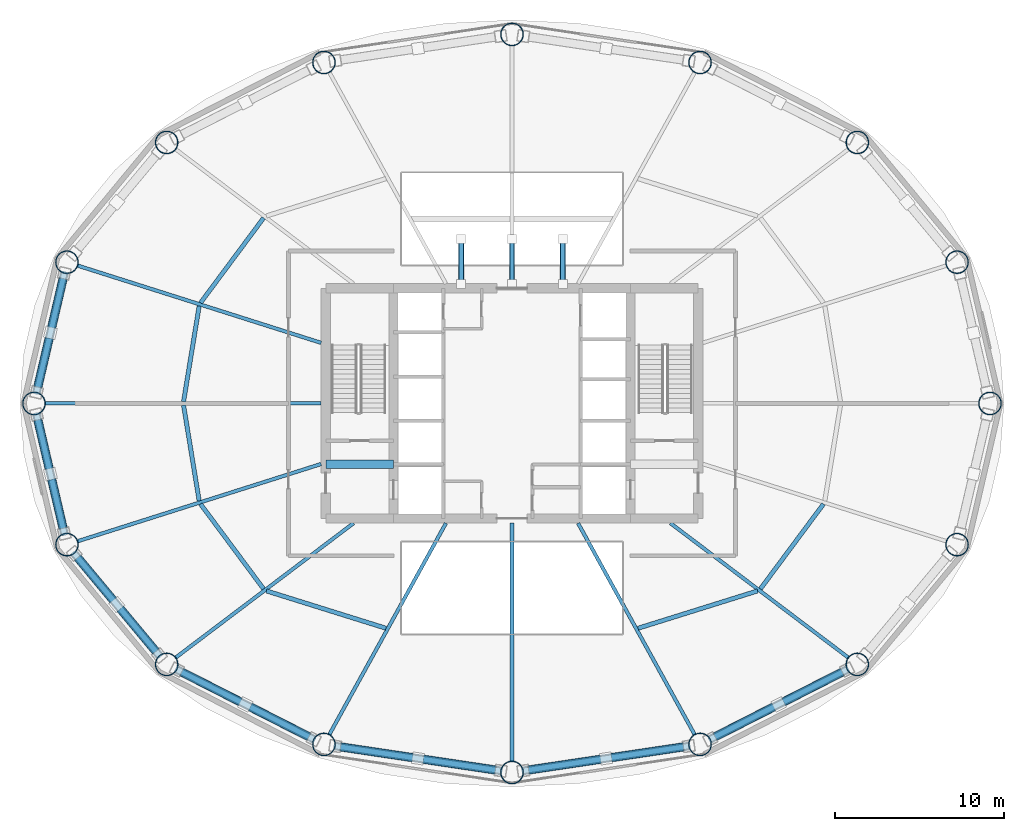
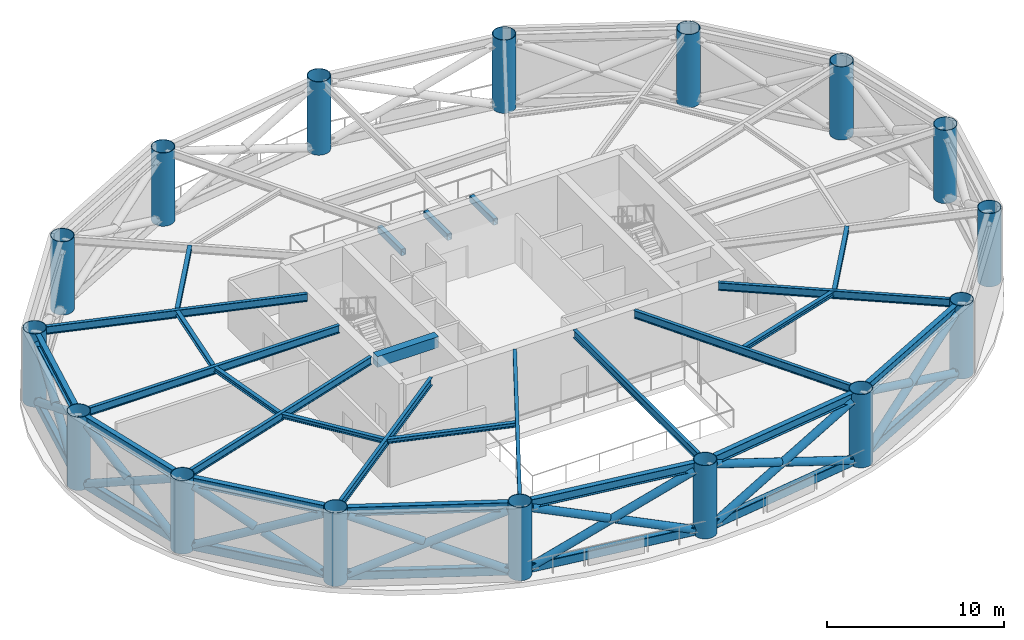
# One storey, part 1 of 7: 31 members, 23 beams, 16 columns.
"""IFC4 building model written with IfcOpenShell, lengths in metres."""

from ifc_helpers import new_model, si_unit, direction, frame, origin, origin_2d, place, context, subcontext, project, spatial, rectangle, hollow_rectangle, hollow_circle, i_section, extrude, material, material_profile, profile_set, type_object, element, save


model = new_model("IFC4")

# Units and contexts
model_context = context("Model", 3, precision=1e-05, world=origin(), true_north=direction((0.0, 1.0)))
body_context = subcontext(model_context, "Body", "Model", "MODEL_VIEW")
ifc_project = project(units=[si_unit("LENGTHUNIT", "METRE"), si_unit("AREAUNIT", "SQUARE_METRE"), si_unit("VOLUMEUNIT", "CUBIC_METRE"), si_unit("PLANEANGLEUNIT", "RADIAN"), si_unit("MASSUNIT", "GRAM", prefix="KILO")], contexts=[model_context])

# Site, building, storey
site_placement = place(None, origin())
site = spatial("IfcSite", under=ifc_project, at=site_placement, CompositionType="ELEMENT")
building_placement = place(site_placement, origin())
building = spatial("IfcBuilding", under=site, at=building_placement, Name="Sarneth Arch Tower", CompositionType="ELEMENT")
storey_placement = place(building_placement, frame((0.0, 0.0, 139.800048828125)))
storey = spatial("IfcBuildingStorey", under=building, at=storey_placement, Name="L35", CompositionType="ELEMENT", Elevation=139.800048828125)

# Columns
ifc_material_1 = material(Name="Steel S355", Category="steel")
ifc_material_profile_1 = material_profile(ifc_material_1, hollow_circle(Radius=0.675048828125, WallThickness=0.035888671875, at=origin_2d()), Name="CHS1350x36")
ifc_profile_set_1 = profile_set([ifc_material_profile_1], Name="Steel S355")
column_type = type_object("IfcColumnType", Name="COL-MEGA-1350", PredefinedType="COLUMN", material=ifc_profile_set_1)
for number, where, z_axis, x_axis, name in (
    (1, (76.236572265625, 42.0, 0.0), (0.0, 0.0, 1.0), (1.0, 0.0, 0.0), "L35 Perimeter mega-column M01"),
    (2, (74.291259765625, 50.342529296875, 0.0), (0.0, 0.0, 1.0), (1.0, 0.0, 0.0), "L35 Perimeter mega-column M02"),
    (3, (68.397705078125, 57.4150390625, 0.0), (0.0, 0.0, 1.0), (1.0, 0.0, 0.0), "L35 Perimeter mega-column M03"),
    (4, (59.1103515625, 62.140625, 0.0), (0.0, 0.0, 1.0), (1.0, 0.0, 0.0), "L35 Perimeter mega-column M04"),
    (5, (48.0, 63.800048828125, 0.0), (0.0, 0.0, 1.0), (1.0, 0.0, 0.0), "L35 Perimeter mega-column M05"),
    (6, (36.8896484375, 62.140625, 0.0), (0.0, 0.0, 1.0), (1.0, 0.0, 0.0), "L35 Perimeter mega-column M06"),
    (7, (27.602294921875, 57.4150390625, 0.0), (0.0, 0.0, 1.0), (1.0, 0.0, 0.0), "L35 Perimeter mega-column M07"),
    (8, (21.708740234375, 50.342529296875, 0.0), (0.0, 0.0, 1.0), (1.0, 0.0, 0.0), "L35 Perimeter mega-column M08"),
    (9, (19.763427734375, 42.0, 0.0), (0.0, 0.0, 1.0), (1.0, 0.0, 0.0), "L35 Perimeter mega-column M09"),
    (10, (21.708740234375, 33.657470703125, 0.0), (0.0, 0.0, 1.0), (1.0, 0.0, 0.0), "L35 Perimeter mega-column M10"),
    (11, (27.602294921875, 26.5849609375, 0.0), (0.0, 0.0, 1.0), (1.0, 0.0, 0.0), "L35 Perimeter mega-column M11"),
    (12, (36.8896484375, 21.859375, 0.0), (0.0, 0.0, 1.0), (1.0, 0.0, 0.0), "L35 Perimeter mega-column M12"),
    (13, (48.0, 20.199951171875, 0.0), (0.0, 0.0, 1.0), (1.0, 0.0, 0.0), "L35 Perimeter mega-column M13"),
    (14, (59.1103515625, 21.859375, 0.0), (0.0, 0.0, 1.0), (1.0, 0.0, 0.0), "L35 Perimeter mega-column M14"),
    (15, (68.397705078125, 26.5849609375, 0.0), (0.0, 0.0, 1.0), (1.0, 0.0, 0.0), "L35 Perimeter mega-column M15"),
    (16, (74.291259765625, 33.657470703125, 0.0), (0.0, 0.0, 1.0), (1.0, 0.0, 0.0), "L35 Perimeter mega-column M16"),
):
    element("IfcColumn", number, at=place(storey_placement, frame(where, z_axis=z_axis, x_axis=x_axis)), inside=storey, type_object=column_type, Name=name, PredefinedType="COLUMN", context=body_context, shape_type="SweptSolid", body=[
        extrude(hollow_circle(Radius=0.675048828125, WallThickness=0.035888671875, at=origin_2d()), origin(), (0.0, 0.0, 1.0), 5.050048828125),
    ])

# Beams
ifc_material_2 = material(Name="Steel S355", Category="steel")
ifc_material_profile_2 = material_profile(ifc_material_2, i_section(OverallWidth=0.25390625, OverallDepth=0.305908203125, WebThickness=0.0087890625, FlangeThickness=0.0146484375, FilletRadius=0.014892578125, at=origin_2d()), Name="W310x79")
ifc_profile_set_2 = profile_set([ifc_material_profile_2], Name="Steel S355")
beam_type_1 = type_object("IfcBeamType", Name="BM-JOIST-310A", PredefinedType="JOIST", material=ifc_profile_set_2)
beam_1_placement = place(storey_placement, frame((33.32666015625, 52.956787109375, 4.89697265625), z_axis=(-0.596354224217, -0.80272139579, 0.0), x_axis=(0.80272139579, -0.596354224217, 0.0)))
element("IfcBeam", 17, at=beam_1_placement, inside=storey, type_object=beam_type_1, Name="L35 Secondary floor joist 07", PredefinedType="JOIST", context=body_context, shape_type="SweptSolid", body=[
    extrude(i_section(OverallWidth=0.25390625, OverallDepth=0.305908203125, WebThickness=0.0087890625, FlangeThickness=0.0146484375, FilletRadius=0.014892578125, at=origin_2d()), origin(), (0.0, 0.0, 1.0), 6.246337890625),
])
for number, where, z_axis, x_axis, name in (
    (18, (29.521484375, 47.75390625, 4.89697265625), (-0.16120310833, -0.986921252109, 0.0), (0.986921252109, -0.16120310833, 0.0), "L35 Secondary floor joist 08"),
    (19, (28.5986328125, 41.89599609375, 4.89697265625), (0.16120310833, -0.986921252109, 0.0), (0.986921252109, 0.16120310833, 0.0), "L35 Secondary floor joist 09"),
):
    element("IfcBeam", number, at=place(storey_placement, frame(where, z_axis=z_axis, x_axis=x_axis)), inside=storey, type_object=beam_type_1, Name=name, PredefinedType="JOIST", context=body_context, shape_type="SweptSolid", body=[
        extrude(i_section(OverallWidth=0.25390625, OverallDepth=0.305908203125, WebThickness=0.0087890625, FlangeThickness=0.0146484375, FilletRadius=0.014892578125, at=origin_2d()), origin(), (0.0, 0.0, 1.0), 5.724853515625),
    ])
beam_2_placement = place(storey_placement, frame((29.6015625, 36.057373046875, 4.89697265625), z_axis=(0.596354224217, -0.80272139579, 0.0), x_axis=(0.80272139579, 0.596354224217, 0.0)))
element("IfcBeam", 20, at=beam_2_placement, inside=storey, type_object=beam_type_1, Name="L35 Secondary floor joist 10", PredefinedType="JOIST", context=body_context, shape_type="SweptSolid", body=[
    extrude(i_section(OverallWidth=0.25390625, OverallDepth=0.305908203125, WebThickness=0.0087890625, FlangeThickness=0.0146484375, FilletRadius=0.014892578125, at=origin_2d()), origin(), (0.0, 0.0, 1.0), 6.246337890625),
])
for number, where, z_axis, x_axis, name in (
    (21, (33.490234375, 30.927001953125, 4.89697265625), (0.9544870201, -0.298252457594, 0.0), (0.298252457594, 0.9544870201, 0.0), "L35 Secondary floor joist 11"),
    (22, (55.4443359375, 28.71923828125, 4.89697265625), (0.9544870201, 0.298252457594, 0.0), (-0.298252457594, 0.9544870201, 0.0), "L35 Secondary floor joist 14"),
):
    element("IfcBeam", number, at=place(storey_placement, frame(where, z_axis=z_axis, x_axis=x_axis)), inside=storey, type_object=beam_type_1, Name=name, PredefinedType="JOIST", context=body_context, shape_type="SweptSolid", body=[
        extrude(i_section(OverallWidth=0.25390625, OverallDepth=0.305908203125, WebThickness=0.0087890625, FlangeThickness=0.0146484375, FilletRadius=0.014892578125, at=origin_2d()), origin(), (0.0, 0.0, 1.0), 7.40234375),
    ])
beam_3_placement = place(storey_placement, frame((62.67333984375, 31.043212890625, 4.89697265625), z_axis=(0.596354224217, 0.80272139579, 0.0), x_axis=(-0.80272139579, 0.596354224217, 0.0)))
element("IfcBeam", 23, at=beam_3_placement, inside=storey, type_object=beam_type_1, Name="L35 Secondary floor joist 15", PredefinedType="JOIST", context=body_context, shape_type="SweptSolid", body=[
    extrude(i_section(OverallWidth=0.25390625, OverallDepth=0.305908203125, WebThickness=0.0087890625, FlangeThickness=0.0146484375, FilletRadius=0.014892578125, at=origin_2d()), origin(), (0.0, 0.0, 1.0), 6.246337890625),
])
ifc_material_3 = material(Name="Concrete C50/60", Category="concrete")
ifc_material_profile_3 = material_profile(ifc_material_3, rectangle(XDim=0.5, YDim=0.75, at=origin_2d()), Name="RC-500x750")
ifc_profile_set_3 = profile_set([ifc_material_profile_3], Name="Concrete C50/60")
beam_type_2 = type_object("IfcBeamType", Name="BM-LINTEL-RC", PredefinedType="LINTEL", material=ifc_profile_set_3)
beam_4_placement = place(storey_placement, frame((37.0, 38.39990234375, 4.675048828125), z_axis=(1.0, 0.0, 0.0), x_axis=(0.0, 1.0, 0.0)))
element("IfcBeam", 24, at=beam_4_placement, inside=storey, type_object=beam_type_2, Name="L35 Core coupling lintel W", PredefinedType="LINTEL", context=body_context, shape_type="SweptSolid", body=[
    extrude(rectangle(XDim=0.5, YDim=0.75, at=origin_2d()), origin(), (0.0, 0.0, 1.0), 4.0),
])
ifc_material_4 = material(Name="Steel S355", Category="steel")
ifc_material_profile_4 = material_profile(ifc_material_4, i_section(OverallWidth=0.2109375, OverallDepth=0.5390625, WebThickness=0.01171875, FlangeThickness=0.018798828125, FilletRadius=0.01806640625, at=origin_2d()), Name="W530x109")
ifc_profile_set_4 = profile_set([ifc_material_profile_4], Name="Steel S355")
beam_type_3 = type_object("IfcBeamType", Name="BM-RAD-530B", PredefinedType="BEAM", material=ifc_profile_set_4)
beam_5_placement = place(storey_placement, frame((36.72509765625, 45.57763671875, 4.780517578125), z_axis=(-0.95316257761, 0.302458427958, 0.0), x_axis=(-0.302458427958, -0.95316257761, 0.0)))
element("IfcBeam", 25, at=beam_5_placement, inside=storey, type_object=beam_type_3, Name="L35 Radial floor girder 08", PredefinedType="BEAM", context=body_context, shape_type="SweptSolid", body=[
    extrude(i_section(OverallWidth=0.2109375, OverallDepth=0.5390625, WebThickness=0.01171875, FlangeThickness=0.018798828125, FilletRadius=0.01806640625, at=origin_2d()), origin(), (0.0, 0.0, 1.0), 15.0791015625),
])
beam_6_placement = place(storey_placement, frame((36.72509765625, 42.0, 4.780517578125), z_axis=(-1.0, 0.0, 0.0), x_axis=(0.0, -1.0, 0.0)))
element("IfcBeam", 26, at=beam_6_placement, inside=storey, type_object=beam_type_3, Name="L35 Radial floor girder 09", PredefinedType="BEAM", context=body_context, shape_type="SweptSolid", body=[
    extrude(i_section(OverallWidth=0.2109375, OverallDepth=0.5390625, WebThickness=0.01171875, FlangeThickness=0.018798828125, FilletRadius=0.01806640625, at=origin_2d()), origin(), (0.0, 0.0, 1.0), 16.28662109375),
])
beam_7_placement = place(storey_placement, frame((36.72509765625, 38.42236328125, 4.780517578125), z_axis=(-0.95316257761, -0.302458427958, 0.0), x_axis=(0.302458427958, -0.95316257761, 0.0)))
element("IfcBeam", 27, at=beam_7_placement, inside=storey, type_object=beam_type_3, Name="L35 Radial floor girder 10", PredefinedType="BEAM", context=body_context, shape_type="SweptSolid", body=[
    extrude(i_section(OverallWidth=0.2109375, OverallDepth=0.5390625, WebThickness=0.01171875, FlangeThickness=0.018798828125, FilletRadius=0.01806640625, at=origin_2d()), origin(), (0.0, 0.0, 1.0), 15.0791015625),
])
beam_8_placement = place(storey_placement, frame((38.63818359375, 34.925048828125, 4.780517578125), z_axis=(-0.797801476102, -0.602920230818, 0.0), x_axis=(0.602920230818, -0.797801476102, 0.0)))
element("IfcBeam", 28, at=beam_8_placement, inside=storey, type_object=beam_type_3, Name="L35 Radial floor girder 11", PredefinedType="BEAM", context=body_context, shape_type="SweptSolid", body=[
    extrude(i_section(OverallWidth=0.2109375, OverallDepth=0.5390625, WebThickness=0.01171875, FlangeThickness=0.018798828125, FilletRadius=0.01806640625, at=origin_2d()), origin(), (0.0, 0.0, 1.0), 13.15771484375),
])
beam_9_placement = place(storey_placement, frame((44.09716796875, 34.925048828125, 4.780517578125), z_axis=(-0.48301301286, -0.875613173387, 0.0), x_axis=(0.875613173387, -0.48301301286, 0.0)))
element("IfcBeam", 29, at=beam_9_placement, inside=storey, type_object=beam_type_3, Name="L35 Radial floor girder 12", PredefinedType="BEAM", context=body_context, shape_type="SweptSolid", body=[
    extrude(i_section(OverallWidth=0.2109375, OverallDepth=0.5390625, WebThickness=0.01171875, FlangeThickness=0.018798828125, FilletRadius=0.01806640625, at=origin_2d()), origin(), (0.0, 0.0, 1.0), 14.246826171875),
])
beam_10_placement = place(storey_placement, frame((48.0, 34.925048828125, 4.780517578125), z_axis=(0.0, -1.0, 0.0), x_axis=(1.0, 0.0, 0.0)))
element("IfcBeam", 30, at=beam_10_placement, inside=storey, type_object=beam_type_3, Name="L35 Radial floor girder 13", PredefinedType="BEAM", context=body_context, shape_type="SweptSolid", body=[
    extrude(i_section(OverallWidth=0.2109375, OverallDepth=0.5390625, WebThickness=0.01171875, FlangeThickness=0.018798828125, FilletRadius=0.01806640625, at=origin_2d()), origin(), (0.0, 0.0, 1.0), 14.050048828125),
])
beam_11_placement = place(storey_placement, frame((51.90283203125, 34.925048828125, 4.780517578125), z_axis=(0.48301301286, -0.875613173387, 0.0), x_axis=(0.875613173387, 0.48301301286, 0.0)))
element("IfcBeam", 31, at=beam_11_placement, inside=storey, type_object=beam_type_3, Name="L35 Radial floor girder 14", PredefinedType="BEAM", context=body_context, shape_type="SweptSolid", body=[
    extrude(i_section(OverallWidth=0.2109375, OverallDepth=0.5390625, WebThickness=0.01171875, FlangeThickness=0.018798828125, FilletRadius=0.01806640625, at=origin_2d()), origin(), (0.0, 0.0, 1.0), 14.246826171875),
])
beam_12_placement = place(storey_placement, frame((57.36181640625, 34.925048828125, 4.780517578125), z_axis=(0.797801476102, -0.602920230818, 0.0), x_axis=(0.602920230818, 0.797801476102, 0.0)))
element("IfcBeam", 32, at=beam_12_placement, inside=storey, type_object=beam_type_3, Name="L35 Radial floor girder 15", PredefinedType="BEAM", context=body_context, shape_type="SweptSolid", body=[
    extrude(i_section(OverallWidth=0.2109375, OverallDepth=0.5390625, WebThickness=0.01171875, FlangeThickness=0.018798828125, FilletRadius=0.01806640625, at=origin_2d()), origin(), (0.0, 0.0, 1.0), 13.15771484375),
])
ifc_material_5 = material(Name="Steel S355", Category="steel")
ifc_material_profile_5 = material_profile(ifc_material_5, i_section(OverallWidth=0.323974609375, OverallDepth=0.611083984375, WebThickness=0.0126953125, FlangeThickness=0.01904296875, FilletRadius=0.01904296875, at=origin_2d()), Name="W610x155")
ifc_profile_set_5 = profile_set([ifc_material_profile_5], Name="Steel S355")
beam_type_4 = type_object("IfcBeamType", Name="BM-SPAN-610B", PredefinedType="SPANDREL", material=ifc_profile_set_5)
for number, where, z_axis, x_axis, name in (
    (33, (21.555419921875, 49.68505859375, 4.744384765625), (-0.22708522689, -0.973874889156, 0.0), (0.973874889156, -0.22708522689, 0.0), "L35 Perimeter spandrel beam 08"),
    (34, (19.916748046875, 41.342529296875, 4.744384765625), (0.22708522689, -0.973874889156, 0.0), (0.973874889156, 0.22708522689, 0.0), "L35 Perimeter spandrel beam 09"),
):
    element("IfcBeam", number, at=place(storey_placement, frame(where, z_axis=z_axis, x_axis=x_axis)), inside=storey, type_object=beam_type_4, Name=name, PredefinedType="SPANDREL", context=body_context, shape_type="SweptSolid", body=[
        extrude(i_section(OverallWidth=0.323974609375, OverallDepth=0.611083984375, WebThickness=0.0126953125, FlangeThickness=0.01904296875, FilletRadius=0.01904296875, at=origin_2d()), origin(), (0.0, 0.0, 1.0), 7.216064453125),
    ])
beam_13_placement = place(storey_placement, frame((22.140869140625, 33.138916015625, 4.744384765625), z_axis=(0.640169116175, -0.768234015581, 0.0), x_axis=(0.768234015581, 0.640169116175, 0.0)))
element("IfcBeam", 35, at=beam_13_placement, inside=storey, type_object=beam_type_4, Name="L35 Perimeter spandrel beam 10", PredefinedType="SPANDREL", context=body_context, shape_type="SweptSolid", body=[
    extrude(i_section(OverallWidth=0.323974609375, OverallDepth=0.611083984375, WebThickness=0.0126953125, FlangeThickness=0.01904296875, FilletRadius=0.01904296875, at=origin_2d()), origin(), (0.0, 0.0, 1.0), 7.856201171875),
])
beam_14_placement = place(storey_placement, frame((28.203857421875, 26.279052734375, 4.744384765625), z_axis=(0.891255891792, -0.453500755619, 0.0), x_axis=(0.453500755619, 0.891255891792, 0.0)))
element("IfcBeam", 36, at=beam_14_placement, inside=storey, type_object=beam_type_4, Name="L35 Perimeter spandrel beam 11", PredefinedType="SPANDREL", context=body_context, shape_type="SweptSolid", body=[
    extrude(i_section(OverallWidth=0.323974609375, OverallDepth=0.611083984375, WebThickness=0.0126953125, FlangeThickness=0.01904296875, FilletRadius=0.01904296875, at=origin_2d()), origin(), (0.0, 0.0, 1.0), 9.070556640625),
])
for number, where, z_axis, x_axis, name in (
    (37, (37.557373046875, 21.759765625, 4.744384765625), (0.989029828744, -0.147715936359, 0.0), (0.147715936359, 0.989029828744, 0.0), "L35 Perimeter spandrel beam 12"),
    (38, (48.66748046875, 20.2998046875, 4.744384765625), (0.989029828744, 0.147715936359, 0.0), (-0.147715936359, 0.989029828744, 0.0), "L35 Perimeter spandrel beam 13"),
):
    element("IfcBeam", number, at=place(storey_placement, frame(where, z_axis=z_axis, x_axis=x_axis)), inside=storey, type_object=beam_type_4, Name=name, PredefinedType="SPANDREL", context=body_context, shape_type="SweptSolid", body=[
        extrude(i_section(OverallWidth=0.323974609375, OverallDepth=0.611083984375, WebThickness=0.0126953125, FlangeThickness=0.01904296875, FilletRadius=0.01904296875, at=origin_2d()), origin(), (0.0, 0.0, 1.0), 9.883544921875),
    ])
beam_15_placement = place(storey_placement, frame((59.7119140625, 22.16552734375, 4.744384765625), z_axis=(0.891255891792, 0.453500755619, 0.0), x_axis=(-0.453500755619, 0.891255891792, 0.0)))
element("IfcBeam", 39, at=beam_15_placement, inside=storey, type_object=beam_type_4, Name="L35 Perimeter spandrel beam 14", PredefinedType="SPANDREL", context=body_context, shape_type="SweptSolid", body=[
    extrude(i_section(OverallWidth=0.323974609375, OverallDepth=0.611083984375, WebThickness=0.0126953125, FlangeThickness=0.01904296875, FilletRadius=0.01904296875, at=origin_2d()), origin(), (0.0, 0.0, 1.0), 9.070556640625),
])

# Members
ifc_material_6 = material(Name="Steel S355", Category="steel")
ifc_material_profile_6 = material_profile(ifc_material_6, hollow_rectangle(XDim=0.39990234375, YDim=0.60009765625, WallThickness=0.02197265625, InnerFilletRadius=0.032958984375, OuterFilletRadius=0.054931640625, at=origin_2d()), Name="RHS600x400x22")
ifc_profile_set_6 = profile_set([ifc_material_profile_6], Name="Steel S355")
member_type_1 = type_object("IfcMemberType", Name="MEM-BELT-CHORD", PredefinedType="CHORD", material=ifc_profile_set_6)
for number, where, z_axis, x_axis, name in (
    (40, (21.555419921875, 49.68505859375, 0.349853515625), (-0.22708522689, -0.973874889156, 0.0), (0.973874889156, -0.22708522689, 0.0), "L35 Ring belt bottom chord 08"),
    (41, (19.916748046875, 41.342529296875, 0.349853515625), (0.22708522689, -0.973874889156, 0.0), (0.973874889156, 0.22708522689, 0.0), "L35 Ring belt bottom chord 09"),
):
    element("IfcMember", number, at=place(storey_placement, frame(where, z_axis=z_axis, x_axis=x_axis)), inside=storey, type_object=member_type_1, Name=name, PredefinedType="CHORD", context=body_context, shape_type="SweptSolid", body=[
        extrude(hollow_rectangle(XDim=0.39990234375, YDim=0.60009765625, WallThickness=0.02197265625, InnerFilletRadius=0.032958984375, OuterFilletRadius=0.054931640625, at=origin_2d()), origin(), (0.0, 0.0, 1.0), 7.216064453125),
    ])
member_1_placement = place(storey_placement, frame((22.140869140625, 33.138916015625, 0.349853515625), z_axis=(0.640169116175, -0.768234015581, 0.0), x_axis=(0.768234015581, 0.640169116175, 0.0)))
element("IfcMember", 42, at=member_1_placement, inside=storey, type_object=member_type_1, Name="L35 Ring belt bottom chord 10", PredefinedType="CHORD", context=body_context, shape_type="SweptSolid", body=[
    extrude(hollow_rectangle(XDim=0.39990234375, YDim=0.60009765625, WallThickness=0.02197265625, InnerFilletRadius=0.032958984375, OuterFilletRadius=0.054931640625, at=origin_2d()), origin(), (0.0, 0.0, 1.0), 7.856201171875),
])
member_2_placement = place(storey_placement, frame((28.203857421875, 26.279052734375, 0.349853515625), z_axis=(0.891255891792, -0.453500755619, 0.0), x_axis=(0.453500755619, 0.891255891792, 0.0)))
element("IfcMember", 43, at=member_2_placement, inside=storey, type_object=member_type_1, Name="L35 Ring belt bottom chord 11", PredefinedType="CHORD", context=body_context, shape_type="SweptSolid", body=[
    extrude(hollow_rectangle(XDim=0.39990234375, YDim=0.60009765625, WallThickness=0.02197265625, InnerFilletRadius=0.032958984375, OuterFilletRadius=0.054931640625, at=origin_2d()), origin(), (0.0, 0.0, 1.0), 9.070556640625),
])
for number, where, z_axis, x_axis, name in (
    (44, (37.557373046875, 21.759765625, 0.349853515625), (0.989029828744, -0.147715936359, 0.0), (0.147715936359, 0.989029828744, 0.0), "L35 Ring belt bottom chord 12"),
    (45, (48.66748046875, 20.2998046875, 0.349853515625), (0.989029828744, 0.147715936359, 0.0), (-0.147715936359, 0.989029828744, 0.0), "L35 Ring belt bottom chord 13"),
):
    element("IfcMember", number, at=place(storey_placement, frame(where, z_axis=z_axis, x_axis=x_axis)), inside=storey, type_object=member_type_1, Name=name, PredefinedType="CHORD", context=body_context, shape_type="SweptSolid", body=[
        extrude(hollow_rectangle(XDim=0.39990234375, YDim=0.60009765625, WallThickness=0.02197265625, InnerFilletRadius=0.032958984375, OuterFilletRadius=0.054931640625, at=origin_2d()), origin(), (0.0, 0.0, 1.0), 9.883544921875),
    ])
member_3_placement = place(storey_placement, frame((59.7119140625, 22.16552734375, 0.349853515625), z_axis=(0.891255891792, 0.453500755619, 0.0), x_axis=(-0.453500755619, 0.891255891792, 0.0)))
element("IfcMember", 46, at=member_3_placement, inside=storey, type_object=member_type_1, Name="L35 Ring belt bottom chord 14", PredefinedType="CHORD", context=body_context, shape_type="SweptSolid", body=[
    extrude(hollow_rectangle(XDim=0.39990234375, YDim=0.60009765625, WallThickness=0.02197265625, InnerFilletRadius=0.032958984375, OuterFilletRadius=0.054931640625, at=origin_2d()), origin(), (0.0, 0.0, 1.0), 9.070556640625),
])
ifc_material_7 = material(Name="Steel S355", Category="steel")
ifc_material_profile_7 = material_profile(ifc_material_7, hollow_circle(Radius=0.25390625, WallThickness=0.01611328125, at=origin_2d()), Name="CHS508x16")
ifc_profile_set_7 = profile_set([ifc_material_profile_7], Name="Steel S355")
member_type_2 = type_object("IfcMemberType", Name="MEM-BELT-DIAG2", PredefinedType="BRACE", material=ifc_profile_set_7)
member_4_placement = place(storey_placement, frame((21.555419921875, 49.68505859375, 0.349853515625), z_axis=(-0.197804335752, -0.848301222379, 0.49118070083), x_axis=(0.973874889156, -0.22708522689, 0.0)))
element("IfcMember", 47, at=member_4_placement, inside=storey, type_object=member_type_2, Name="L35 Ring belt continuous diagonal A08", PredefinedType="BRACE", context=body_context, shape_type="SweptSolid", body=[
    extrude(hollow_circle(Radius=0.25390625, WallThickness=0.01611328125, at=origin_2d()), origin(), (0.0, 0.0, 1.0), 8.284423828125),
])
member_5_placement = place(storey_placement, frame((19.916748046875, 42.657470703125, 0.349853515625), z_axis=(0.197833035969, 0.848285979214, 0.491195467556), x_axis=(-0.97386669934, 0.22712034677, 0.0)))
element("IfcMember", 48, at=member_5_placement, inside=storey, type_object=member_type_2, Name="L35 Ring belt split diagonal B1-08", PredefinedType="BRACE", context=body_context, shape_type="SweptSolid", body=[
    extrude(hollow_circle(Radius=0.25390625, WallThickness=0.01611328125, at=origin_2d()), origin(), (0.0, 0.0, 1.0), 3.892333984375),
])
member_6_placement = place(storey_placement, frame((20.78564453125, 46.38330078125, 2.50732421875), z_axis=(0.197778858684, 0.848322640291, 0.491153968758), x_axis=(-0.97388262479, 0.227052049391, 0.0)))
element("IfcMember", 49, at=member_6_placement, inside=storey, type_object=member_type_2, Name="L35 Ring belt split diagonal B2-08", PredefinedType="BRACE", context=body_context, shape_type="SweptSolid", body=[
    extrude(hollow_circle(Radius=0.25390625, WallThickness=0.01611328125, at=origin_2d()), origin(), (0.0, 0.0, 1.0), 3.89208984375),
])
member_7_placement = place(storey_placement, frame((19.916748046875, 41.342529296875, 0.349853515625), z_axis=(0.197804335752, -0.848301222379, 0.49118070083), x_axis=(0.973874889156, 0.22708522689, 0.0)))
element("IfcMember", 50, at=member_7_placement, inside=storey, type_object=member_type_2, Name="L35 Ring belt continuous diagonal A09", PredefinedType="BRACE", context=body_context, shape_type="SweptSolid", body=[
    extrude(hollow_circle(Radius=0.25390625, WallThickness=0.01611328125, at=origin_2d()), origin(), (0.0, 0.0, 1.0), 8.284423828125),
])
member_8_placement = place(storey_placement, frame((21.555419921875, 34.31494140625, 0.349853515625), z_axis=(-0.197772765264, 0.848296504102, 0.491201561936), x_axis=(-0.97388262479, -0.227052049391, 0.0)))
element("IfcMember", 51, at=member_8_placement, inside=storey, type_object=member_type_2, Name="L35 Ring belt split diagonal B1-09", PredefinedType="BRACE", context=body_context, shape_type="SweptSolid", body=[
    extrude(hollow_circle(Radius=0.25390625, WallThickness=0.01611328125, at=origin_2d()), origin(), (0.0, 0.0, 1.0), 3.892333984375),
])
member_9_placement = place(storey_placement, frame((20.686767578125, 38.040771484375, 2.50732421875), z_axis=(-0.197839131094, 0.848312114431, 0.491147874593), x_axis=(-0.97386669934, -0.22712034677, 0.0)))
element("IfcMember", 52, at=member_9_placement, inside=storey, type_object=member_type_2, Name="L35 Ring belt split diagonal B2-09", PredefinedType="BRACE", context=body_context, shape_type="SweptSolid", body=[
    extrude(hollow_circle(Radius=0.25390625, WallThickness=0.01611328125, at=origin_2d()), origin(), (0.0, 0.0, 1.0), 3.89208984375),
])
member_10_placement = place(storey_placement, frame((22.140869140625, 33.138916015625, 0.349853515625), z_axis=(0.568445844275, -0.682162607588, 0.459916839152), x_axis=(0.768234015581, 0.640169116175, 0.0)))
element("IfcMember", 53, at=member_10_placement, inside=storey, type_object=member_type_2, Name="L35 Ring belt continuous diagonal A10", PredefinedType="BRACE", context=body_context, shape_type="SweptSolid", body=[
    extrude(hollow_circle(Radius=0.25390625, WallThickness=0.01611328125, at=origin_2d()), origin(), (0.0, 0.0, 1.0), 8.847412109375),
])
member_11_placement = place(storey_placement, frame((27.170166015625, 27.103515625, 0.349853515625), z_axis=(-0.568441611408, 0.682153331163, 0.45993582944), x_axis=(-0.768232078638, -0.640171440594, 0.0)))
element("IfcMember", 54, at=member_11_placement, inside=storey, type_object=member_type_2, Name="L35 Ring belt split diagonal B1-10", PredefinedType="BRACE", context=body_context, shape_type="SweptSolid", body=[
    extrude(hollow_circle(Radius=0.25390625, WallThickness=0.01611328125, at=origin_2d()), origin(), (0.0, 0.0, 1.0), 4.173828125),
])
member_12_placement = place(storey_placement, frame((24.513427734375, 30.291748046875, 2.49951171875), z_axis=(-0.568456904031, 0.68217168294, 0.459889707707), x_axis=(-0.768232078638, -0.640171440594, 0.0)))
element("IfcMember", 55, at=member_12_placement, inside=storey, type_object=member_type_2, Name="L35 Ring belt split diagonal B2-10", PredefinedType="BRACE", context=body_context, shape_type="SweptSolid", body=[
    extrude(hollow_circle(Radius=0.25390625, WallThickness=0.01611328125, at=origin_2d()), origin(), (0.0, 0.0, 1.0), 4.173583984375),
])
member_13_placement = place(storey_placement, frame((28.203857421875, 26.279052734375, 0.349853515625), z_axis=(0.813180252003, -0.41377326325, 0.409303755629), x_axis=(0.453500755619, 0.891255891792, 0.0)))
element("IfcMember", 56, at=member_13_placement, inside=storey, type_object=member_type_2, Name="L35 Ring belt continuous diagonal A11", PredefinedType="BRACE", context=body_context, shape_type="SweptSolid", body=[
    extrude(hollow_circle(Radius=0.25390625, WallThickness=0.01611328125, at=origin_2d()), origin(), (0.0, 0.0, 1.0), 9.94140625),
])
member_14_placement = place(storey_placement, frame((36.2880859375, 22.16552734375, 0.349853515625), z_axis=(-0.813169355563, 0.41377308661, 0.409325581867), x_axis=(-0.453505428917, -0.891253513846, 0.0)))
element("IfcMember", 57, at=member_14_placement, inside=storey, type_object=member_type_2, Name="L35 Ring belt split diagonal B1-11", PredefinedType="BRACE", context=body_context, shape_type="SweptSolid", body=[
    extrude(hollow_circle(Radius=0.25390625, WallThickness=0.01611328125, at=origin_2d()), origin(), (0.0, 0.0, 1.0), 4.720947265625),
])
member_15_placement = place(storey_placement, frame((32.042724609375, 24.32568359375, 2.48681640625), z_axis=(-0.813186568469, 0.413781845225, 0.409282530073), x_axis=(-0.453505428917, -0.891253513846, 0.0)))
element("IfcMember", 58, at=member_15_placement, inside=storey, type_object=member_type_2, Name="L35 Ring belt split diagonal B2-11", PredefinedType="BRACE", context=body_context, shape_type="SweptSolid", body=[
    extrude(hollow_circle(Radius=0.25390625, WallThickness=0.01611328125, at=origin_2d()), origin(), (0.0, 0.0, 1.0), 4.720703125),
])
member_16_placement = place(storey_placement, frame((37.557373046875, 21.759765625, 0.349853515625), z_axis=(0.914554219414, -0.136592677941, 0.380700696196), x_axis=(0.147715936359, 0.989029828744, 0.0)))
element("IfcMember", 59, at=member_16_placement, inside=storey, type_object=member_type_2, Name="L35 Ring belt continuous diagonal A12", PredefinedType="BRACE", context=body_context, shape_type="SweptSolid", body=[
    extrude(hollow_circle(Radius=0.25390625, WallThickness=0.01611328125, at=origin_2d()), origin(), (0.0, 0.0, 1.0), 10.6884765625),
])
for number, where, z_axis, x_axis, name in (
    (60, (47.33251953125, 20.2998046875, 0.349853515625), (-0.914549388022, 0.136585744163, 0.380714790046), (-0.147709364832, -0.989030810208, 0.0), "L35 Ring belt split diagonal B1-12"),
    (61, (42.21630859375, 21.06396484375, 2.479736328125), (-0.914566074012, 0.136588236175, 0.380673810506), (-0.147709364832, -0.989030810208, 0.0), "L35 Ring belt split diagonal B2-12"),
):
    element("IfcMember", number, at=place(storey_placement, frame(where, z_axis=z_axis, x_axis=x_axis)), inside=storey, type_object=member_type_2, Name=name, PredefinedType="BRACE", context=body_context, shape_type="SweptSolid", body=[
        extrude(hollow_circle(Radius=0.25390625, WallThickness=0.01611328125, at=origin_2d()), origin(), (0.0, 0.0, 1.0), 5.09423828125),
    ])
member_17_placement = place(storey_placement, frame((48.66748046875, 20.2998046875, 0.349853515625), z_axis=(0.914554219414, 0.136592677941, 0.380700696196), x_axis=(-0.147715936359, 0.989029828744, 0.0)))
element("IfcMember", 62, at=member_17_placement, inside=storey, type_object=member_type_2, Name="L35 Ring belt continuous diagonal A13", PredefinedType="BRACE", context=body_context, shape_type="SweptSolid", body=[
    extrude(hollow_circle(Radius=0.25390625, WallThickness=0.01611328125, at=origin_2d()), origin(), (0.0, 0.0, 1.0), 10.6884765625),
])
for number, where, z_axis, x_axis, name in (
    (63, (58.442626953125, 21.759765625, 0.349853515625), (-0.914549388022, -0.136585744163, 0.380714790046), (0.147709364832, -0.989030810208, 0.0), "L35 Ring belt split diagonal B1-13"),
    (64, (53.326416015625, 20.99560546875, 2.479736328125), (-0.914566074012, -0.136588236175, 0.380673810506), (0.147709364832, -0.989030810208, 0.0), "L35 Ring belt split diagonal B2-13"),
):
    element("IfcMember", number, at=place(storey_placement, frame(where, z_axis=z_axis, x_axis=x_axis)), inside=storey, type_object=member_type_2, Name=name, PredefinedType="BRACE", context=body_context, shape_type="SweptSolid", body=[
        extrude(hollow_circle(Radius=0.25390625, WallThickness=0.01611328125, at=origin_2d()), origin(), (0.0, 0.0, 1.0), 5.09423828125),
    ])
member_18_placement = place(storey_placement, frame((59.7119140625, 22.16552734375, 0.349853515625), z_axis=(0.813180252003, 0.41377326325, 0.409303755629), x_axis=(-0.453500755619, 0.891255891792, 0.0)))
element("IfcMember", 65, at=member_18_placement, inside=storey, type_object=member_type_2, Name="L35 Ring belt continuous diagonal A14", PredefinedType="BRACE", context=body_context, shape_type="SweptSolid", body=[
    extrude(hollow_circle(Radius=0.25390625, WallThickness=0.01611328125, at=origin_2d()), origin(), (0.0, 0.0, 1.0), 9.94140625),
])
member_19_placement = place(storey_placement, frame((67.796142578125, 26.279052734375, 0.349853515625), z_axis=(-0.813169355563, -0.41377308661, 0.409325581867), x_axis=(0.453505428917, -0.891253513846, 0.0)))
element("IfcMember", 66, at=member_19_placement, inside=storey, type_object=member_type_2, Name="L35 Ring belt split diagonal B1-14", PredefinedType="BRACE", context=body_context, shape_type="SweptSolid", body=[
    extrude(hollow_circle(Radius=0.25390625, WallThickness=0.01611328125, at=origin_2d()), origin(), (0.0, 0.0, 1.0), 4.720947265625),
])
member_20_placement = place(storey_placement, frame((63.55078125, 24.118896484375, 2.48681640625), z_axis=(-0.813186568469, -0.413781845225, 0.409282530073), x_axis=(0.453505428917, -0.891253513846, 0.0)))
element("IfcMember", 67, at=member_20_placement, inside=storey, type_object=member_type_2, Name="L35 Ring belt split diagonal B2-14", PredefinedType="BRACE", context=body_context, shape_type="SweptSolid", body=[
    extrude(hollow_circle(Radius=0.25390625, WallThickness=0.01611328125, at=origin_2d()), origin(), (0.0, 0.0, 1.0), 4.720703125),
])
ifc_material_8 = material(Name="Steel S355", Category="steel")
ifc_material_profile_8 = material_profile(ifc_material_8, hollow_rectangle(XDim=0.300048828125, YDim=0.449951171875, WallThickness=0.01611328125, InnerFilletRadius=0.02392578125, OuterFilletRadius=0.0400390625, at=origin_2d()), Name="RHS450x300x16")
ifc_profile_set_8 = profile_set([ifc_material_profile_8], Name="Steel S355")
member_type_3 = type_object("IfcMemberType", Name="MEM-TURB-STRUT", PredefinedType="STRUT", material=ifc_profile_set_8)
for number, where, z_axis, x_axis, name in (
    (68, (45.0, 49.054931640625, 2.849853515625), (0.0, 1.0, 0.0), (-1.0, 0.0, 0.0), "Wind turbine support bracket 1"),
    (69, (48.0, 49.054931640625, 2.849853515625), (0.0, 1.0, 0.0), (-1.0, 0.0, 0.0), "Wind turbine support bracket 2"),
    (70, (51.0, 49.054931640625, 2.849853515625), (0.0, 1.0, 0.0), (-1.0, 0.0, 0.0), "Wind turbine support bracket 3"),
):
    element("IfcMember", number, at=place(storey_placement, frame(where, z_axis=z_axis, x_axis=x_axis)), inside=storey, type_object=member_type_3, Name=name, PredefinedType="STRUT", context=body_context, shape_type="SweptSolid", body=[
        extrude(hollow_rectangle(XDim=0.300048828125, YDim=0.449951171875, WallThickness=0.01611328125, InnerFilletRadius=0.02392578125, OuterFilletRadius=0.0400390625, at=origin_2d()), origin(), (0.0, 0.0, 1.0), 2.670166015625),
    ])

save(model, "model.ifc")
